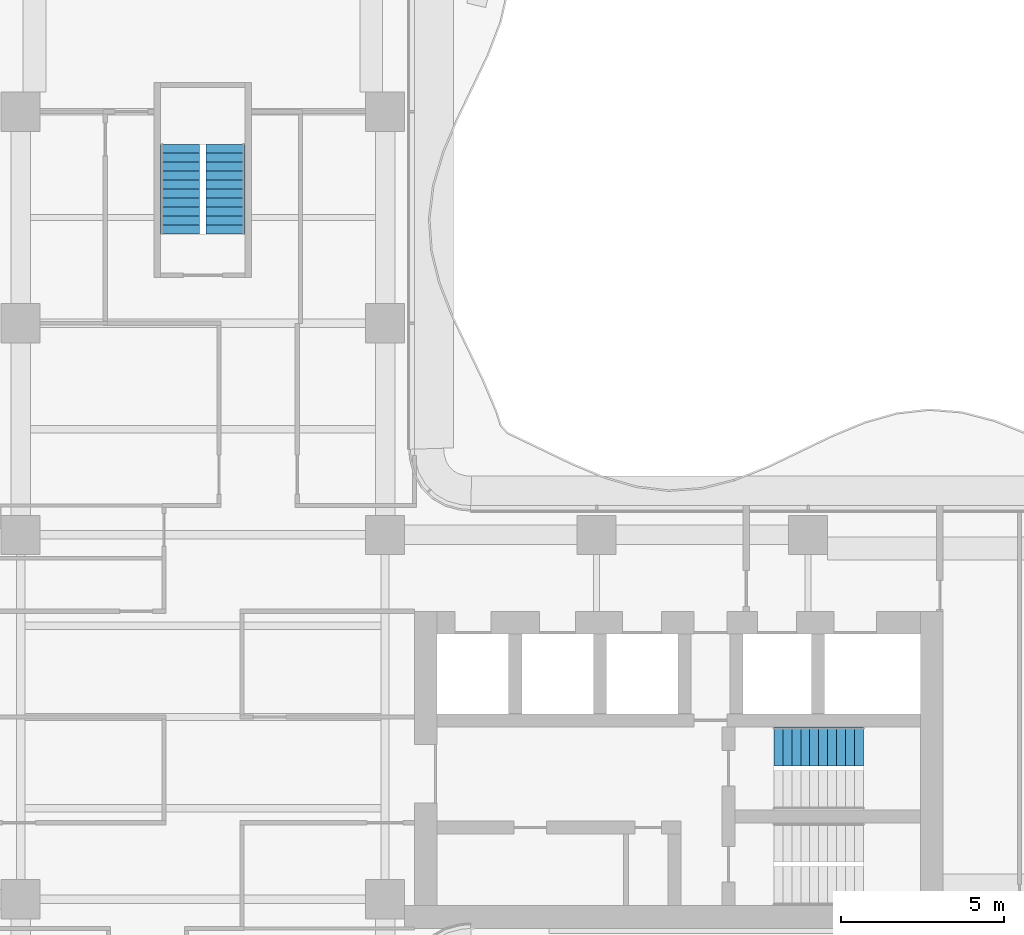
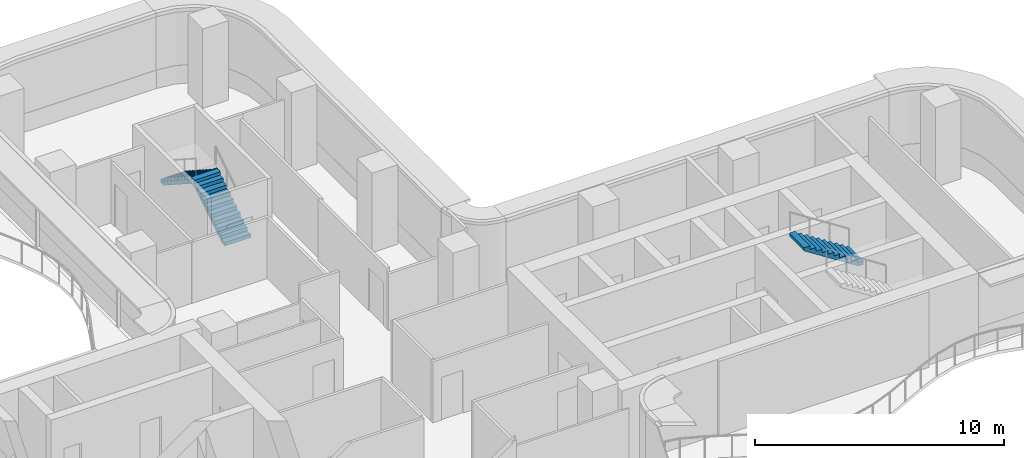
# One storey, part 15 of 17: 3 stair flights, 2 elements without a shape of their own.
"""IFC4 building model written with IfcOpenShell, lengths in metres."""

from ifc_helpers import new_model, si_unit, direction, frame, origin, place, context, subcontext, project, spatial, polyline, outline, extrude, source, transform, mapped, material, type_object, element, aggregate, save


model = new_model("IFC4")

# Units and contexts
model_context = context("Model", 3, precision=1e-05, world=origin(), true_north=direction((0.0, 1.0)))
body_context = subcontext(model_context, "Body", "Model", "MODEL_VIEW")
ifc_project = project(units=[si_unit("LENGTHUNIT", "METRE"), si_unit("AREAUNIT", "SQUARE_METRE"), si_unit("VOLUMEUNIT", "CUBIC_METRE"), si_unit("PLANEANGLEUNIT", "RADIAN"), si_unit("MASSUNIT", "GRAM", prefix="KILO")], contexts=[model_context])

# Site, building, storey
site_placement = place(None, origin())
site = spatial("IfcSite", under=ifc_project, at=site_placement, CompositionType="ELEMENT")
building_placement = place(site_placement, origin())
building = spatial("IfcBuilding", under=site, at=building_placement, Name="Trellis Farm Tower", CompositionType="ELEMENT")
storey_placement = place(building_placement, frame((0.0, 0.0, 162.0)))
storey = spatial("IfcBuildingStorey", under=building, at=storey_placement, Name="L34", CompositionType="ELEMENT", Elevation=162.0)

# Stair, stair flights
ifc_material = material(Name="Concrete C50/60", Category="concrete")
stair_type = type_object("IfcStairType", Name="CORE EXIT STAIR 22 RISERS 177 MM", PredefinedType="HALF_TURN_STAIR", material=ifc_material)
placement = place(storey_placement, origin())
stair_1 = element("IfcStair", 1, at=placement, inside=storey, type_object=stair_type, Name="Exit stair N", PredefinedType="HALF_TURN_STAIR")
stair_flight_type = type_object("IfcStairFlightType", Name="STAIR FLIGHT 11 RISERS 177 MM", PredefinedType="STRAIGHT", material=ifc_material)
shared_shape = source(origin(), body_context, "Body", "SweptSolid", [
    extrude(outline(polyline([(0.0, 0.0), (0.0, 0.17724609375), (0.27490234375, 0.17724609375), (0.27490234375, 0.3544921875), (0.550048828125, 0.3544921875), (0.550048828125, 0.53173828125), (0.824951171875, 0.53173828125), (0.824951171875, 0.708984375), (1.10009765625, 0.708984375), (1.10009765625, 0.886474609375), (1.375, 0.886474609375), (1.375, 1.063720703125), (1.64990234375, 1.063720703125), (1.64990234375, 1.240966796875), (1.925048828125, 1.240966796875), (1.925048828125, 1.418212890625), (2.199951171875, 1.418212890625), (2.199951171875, 1.595458984375), (2.47509765625, 1.595458984375), (2.47509765625, 1.772705078125), (2.75, 1.772705078125), (2.75, 1.949951171875), (2.75, 1.6181640625), (0.23974609375, 0.0), (0.0, 0.0)])), frame((0.0, 0.60009765625, 0.0), z_axis=(0.0, -1.0, 0.0), x_axis=(1.0, 0.0, 0.0)), (0.0, 0.0, 1.0), 1.199951171875),
])
stair_flight_1_placement = place(storey_placement, frame((0.699951171875, 14.85009765625, 0.0), z_axis=(0.0, 0.0, 1.0), x_axis=(0.0, 1.0, 0.0)))
stair_flight_1 = element("IfcStairFlight", 2, at=stair_flight_1_placement, type_object=stair_flight_type, Name="STN flight 1", NumberOfRisers=11, NumberOfTreads=10, PredefinedType="STRAIGHT", RiserHeight=0.177272727, TreadLength=0.275, context=body_context, shape_type="MappedRepresentation", body=[
    mapped(shared_shape, transform((0.0, 0.0, 0.0))),
])
stair_flight_2_placement = place(storey_placement, frame((-0.699951171875, 17.60009765625, 1.949951171875), z_axis=(0.0, 0.0, 1.0), x_axis=(0.0, -1.0, 0.0)))
stair_flight_2 = element("IfcStairFlight", 3, at=stair_flight_2_placement, type_object=stair_flight_type, Name="STN flight 2", NumberOfRisers=11, NumberOfTreads=10, PredefinedType="STRAIGHT", RiserHeight=0.177272727, TreadLength=0.275, context=body_context, shape_type="MappedRepresentation", body=[
    mapped(shared_shape, transform((0.0, 0.0, 0.0))),
])
aggregate(stair_1, [stair_flight_1, stair_flight_2])

# Stair, stair flight
stair_2 = element("IfcStair", 4, at=placement, inside=storey, type_object=stair_type, Name="Exit stair E2", PredefinedType="HALF_TURN_STAIR")
stair_flight_3_placement = place(storey_placement, frame((20.300048828125, -0.89990234375, 1.949951171875), z_axis=(0.0, 0.0, 1.0), x_axis=(-1.0, 0.0, 0.0)))
stair_flight_3 = element("IfcStairFlight", 5, at=stair_flight_3_placement, type_object=stair_flight_type, Name="STE2 flight 2", NumberOfRisers=11, NumberOfTreads=10, PredefinedType="STRAIGHT", RiserHeight=0.177272727, TreadLength=0.275, context=body_context, shape_type="MappedRepresentation", body=[
    mapped(shared_shape, transform((0.0, 0.0, 0.0))),
])
aggregate(stair_2, [stair_flight_3])

save(model, "model.ifc")
